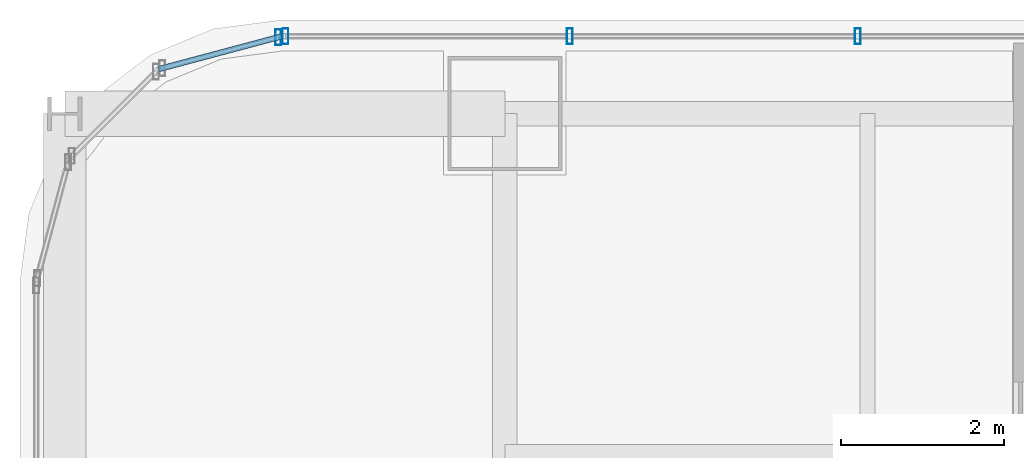
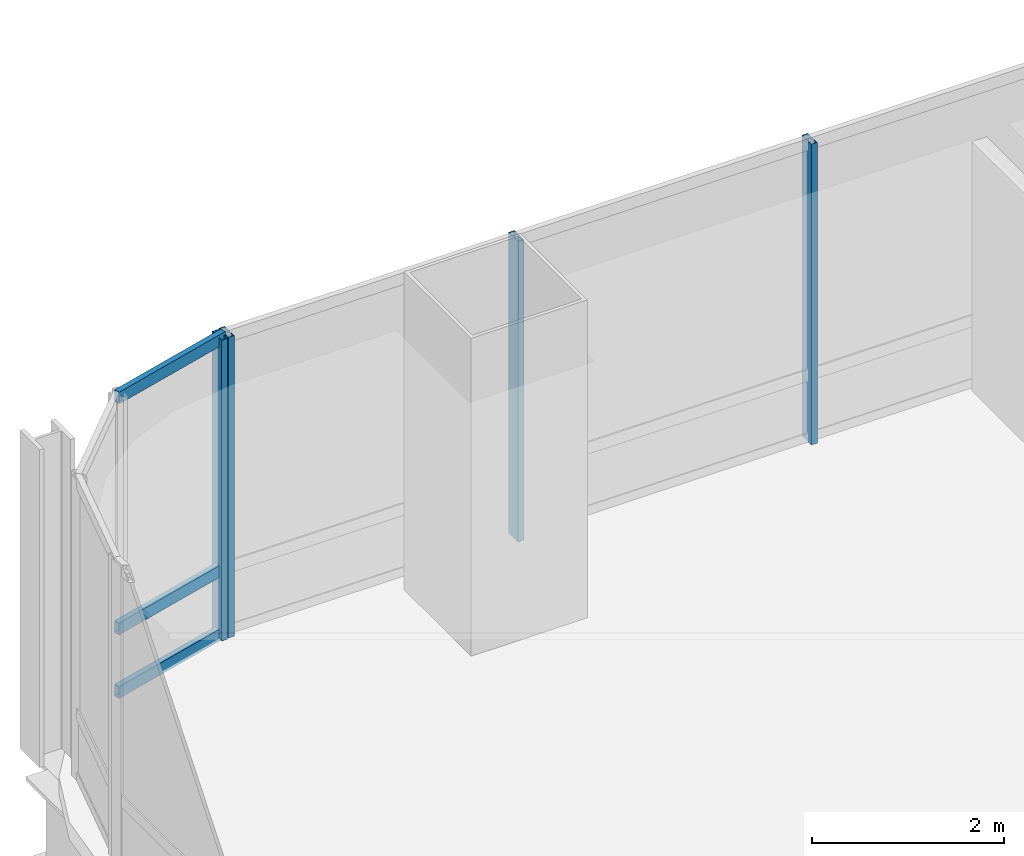
# One storey, part 20 of 36: 7 members, 2 elements without a shape of their own.
"""IFC4 building model written with IfcOpenShell, lengths in metres."""

from ifc_helpers import new_model, si_unit, direction, frame, origin, origin_2d, place, context, subcontext, project, spatial, hollow_rectangle, extrude, material, material_profile, profile_set, type_object, element, aggregate, save


model = new_model("IFC4")

# Units and contexts
model_context = context("Model", 3, precision=1e-05, world=origin(), true_north=direction((0.0, 1.0)))
body_context = subcontext(model_context, "Body", "Model", "MODEL_VIEW")
ifc_project = project(units=[si_unit("LENGTHUNIT", "METRE"), si_unit("AREAUNIT", "SQUARE_METRE"), si_unit("VOLUMEUNIT", "CUBIC_METRE"), si_unit("PLANEANGLEUNIT", "RADIAN"), si_unit("MASSUNIT", "GRAM", prefix="KILO")], contexts=[model_context])

# Site, building, storey
site_placement = place(None, origin())
site = spatial("IfcSite", under=ifc_project, at=site_placement, CompositionType="ELEMENT")
building_placement = place(site_placement, origin())
building = spatial("IfcBuilding", under=site, at=building_placement, Name="Punatoya Terracotta Tower", CompositionType="ELEMENT")
storey_placement = place(building_placement, frame((0.0, 0.0, 184.35009765625)))
storey = spatial("IfcBuildingStorey", under=building, at=storey_placement, Name="L43", CompositionType="ELEMENT", Elevation=184.35009765625)

# Curtain wall, members
ifc_material_1 = material(Name="Aluminium 6063-T6 + Double Low-E Glass", Category="aluminium")
curtain_wall_type = type_object("IfcCurtainWallType", Name="CW-M2", PredefinedType="NOTDEFINED", material=ifc_material_1)
curtain_wall_1_placement = place(storey_placement, origin())
curtain_wall_1 = element("IfcCurtainWall", 1, at=curtain_wall_1_placement, inside=storey, type_object=curtain_wall_type, Name="L43 Curtain Wall CW-L43-N09-1", PredefinedType="NOTDEFINED")
ifc_material_2 = material(Name="Aluminium 6063-T6", Category="aluminium")
ifc_material_profile_1 = material_profile(ifc_material_2, hollow_rectangle(XDim=0.072021484375, YDim=0.195068359375, WallThickness=0.00439453125, at=origin_2d()))
ifc_profile_set_1 = profile_set([ifc_material_profile_1], Name="Aluminium 6063-T6")
member_type_1 = type_object("IfcMemberType", Name="CW-MUL-M2", PredefinedType="MULLION", material=ifc_profile_set_1)
member_1_placement = place(storey_placement, frame((-14.768798828125, 18.449951171875, 0.0), z_axis=(0.0, 0.0, 1.0), x_axis=(1.0, 0.0, 0.0)))
member_1 = element("IfcMember", 2, at=member_1_placement, type_object=member_type_1, Name="CW-L43-N09-1 Mullion 09", PredefinedType="MULLION", context=body_context, shape_type="SweptSolid", body=[
    extrude(hollow_rectangle(XDim=0.072021484375, YDim=0.195068359375, WallThickness=0.00439453125, at=origin_2d()), origin(), (0.0, 0.0, 1.0), 3.829833984375),
])
member_2_placement = place(storey_placement, frame((-18.302978515625, 18.449951171875, 0.0), z_axis=(0.0, 0.0, 1.0), x_axis=(1.0, 0.0, 0.0)))
member_2 = element("IfcMember", 3, at=member_2_placement, type_object=member_type_1, Name="CW-L43-N09-1 Mullion 10", PredefinedType="MULLION", context=body_context, shape_type="SweptSolid", body=[
    extrude(hollow_rectangle(XDim=0.072021484375, YDim=0.195068359375, WallThickness=0.00439453125, at=origin_2d()), origin(), (0.0, 0.0, 1.0), 3.829833984375),
])
member_3_placement = place(storey_placement, frame((-21.7919921875, 18.449951171875, 0.0), z_axis=(0.0, 0.0, 1.0), x_axis=(1.0, 0.0, 0.0)))
member_3 = element("IfcMember", 4, at=member_3_placement, type_object=member_type_1, Name="CW-L43-N09-1 Mullion 11", PredefinedType="MULLION", context=body_context, shape_type="SweptSolid", body=[
    extrude(hollow_rectangle(XDim=0.072021484375, YDim=0.195068359375, WallThickness=0.00439453125, at=origin_2d()), origin(), (0.0, 0.0, 1.0), 3.829833984375),
])
aggregate(curtain_wall_1, [member_1, member_2, member_3])

curtain_wall_2_placement = place(storey_placement, origin())
curtain_wall_2 = element("IfcCurtainWall", 5, at=curtain_wall_2_placement, inside=storey, type_object=curtain_wall_type, Name="L43 Curtain Wall CW-L43-CRN10", PredefinedType="NOTDEFINED")
member_4_placement = place(storey_placement, frame((-21.88037109375, 18.4384765625, 0.0), z_axis=(0.0, 0.0, 1.0), x_axis=(1.0, 0.0, 0.0)))
member_4 = element("IfcMember", 6, at=member_4_placement, type_object=member_type_1, Name="CW-L43-CRN10 Mullion 00", PredefinedType="MULLION", context=body_context, shape_type="SweptSolid", body=[
    extrude(hollow_rectangle(XDim=0.072021484375, YDim=0.195068359375, WallThickness=0.00439453125, at=origin_2d()), origin(), (0.0, 0.0, 1.0), 3.829833984375),
])
ifc_material_profile_2 = material_profile(ifc_material_2, hollow_rectangle(XDim=0.068115234375, YDim=0.14990234375, WallThickness=0.00390625, at=origin_2d()))
ifc_profile_set_2 = profile_set([ifc_material_profile_2], Name="Aluminium 6063-T6")
member_type_2 = type_object("IfcMemberType", Name="CW-TRN-TYP", PredefinedType="USERDEFINED", material=ifc_profile_set_2)
member_5_placement = place(storey_placement, frame((-21.8369140625, 18.449951171875, 0.039794921875), z_axis=(-0.966224582397, -0.257701486942, 0.0), x_axis=(0.257701486942, -0.966224582397, 0.0)))
member_5 = element("IfcMember", 7, at=member_5_placement, type_object=member_type_2, Name="CW-L43-CRN10 Transom 1", ObjectType="TRANSOM", PredefinedType="USERDEFINED", context=body_context, shape_type="SweptSolid", body=[
    extrude(hollow_rectangle(XDim=0.068115234375, YDim=0.14990234375, WallThickness=0.00390625, at=origin_2d()), origin(), (0.0, 0.0, 1.0), 1.565185546875),
])
member_6_placement = place(storey_placement, frame((-21.8369140625, 18.449951171875, 0.849853515625), z_axis=(-0.966224582397, -0.257701486942, 0.0), x_axis=(0.257701486942, -0.966224582397, 0.0)))
member_6 = element("IfcMember", 8, at=member_6_placement, type_object=member_type_2, Name="CW-L43-CRN10 Transom 2", ObjectType="TRANSOM", PredefinedType="USERDEFINED", context=body_context, shape_type="SweptSolid", body=[
    extrude(hollow_rectangle(XDim=0.068115234375, YDim=0.14990234375, WallThickness=0.00390625, at=origin_2d()), origin(), (0.0, 0.0, 1.0), 1.565185546875),
])
member_7_placement = place(storey_placement, frame((-21.8369140625, 18.449951171875, 3.789794921875), z_axis=(-0.966224582397, -0.257701486942, 0.0), x_axis=(0.257701486942, -0.966224582397, 0.0)))
member_7 = element("IfcMember", 9, at=member_7_placement, type_object=member_type_2, Name="CW-L43-CRN10 Transom 3", ObjectType="TRANSOM", PredefinedType="USERDEFINED", context=body_context, shape_type="SweptSolid", body=[
    extrude(hollow_rectangle(XDim=0.068115234375, YDim=0.14990234375, WallThickness=0.00390625, at=origin_2d()), origin(), (0.0, 0.0, 1.0), 1.565185546875),
])
aggregate(curtain_wall_2, [member_4, member_5, member_6, member_7])

save(model, "model.ifc")
